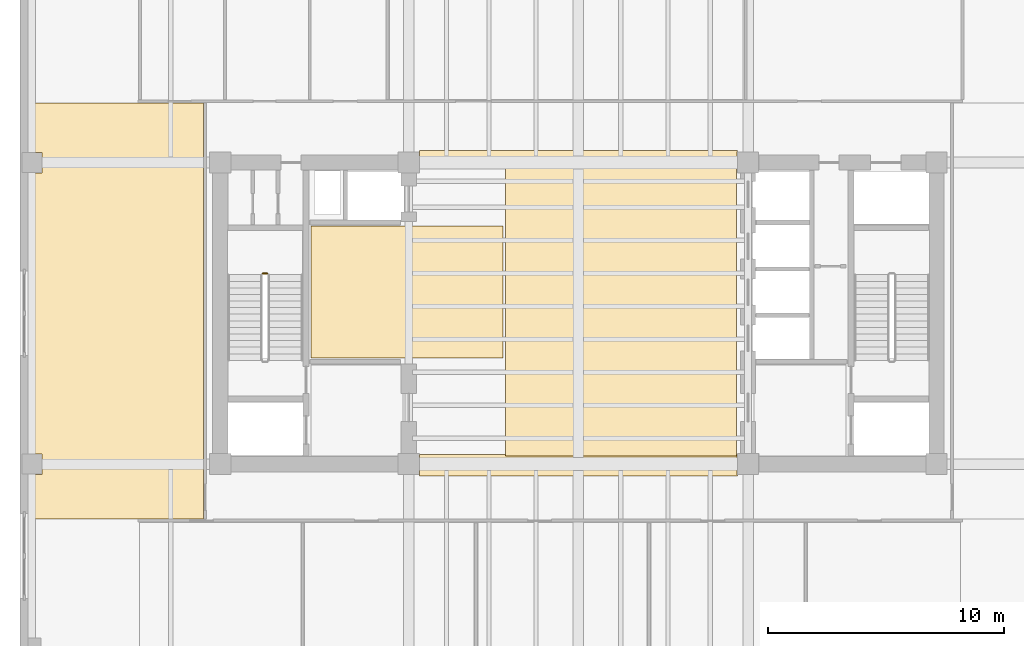
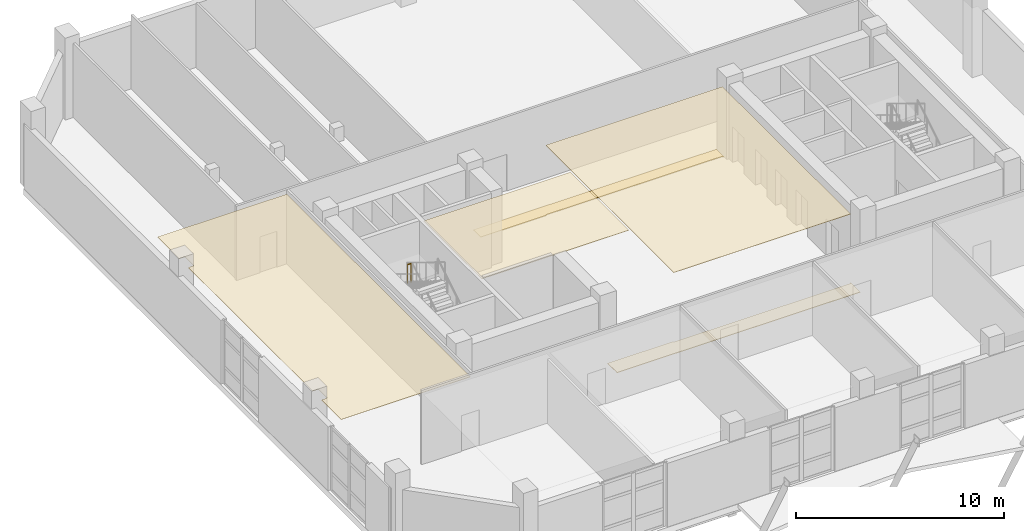
# One storey, part 12 of 15: 5 coverings, 1 railing.
"""IFC4 building model written with IfcOpenShell, lengths in metres."""

from ifc_helpers import new_model, si_unit, direction, frame, origin, origin_2d, place, context, subcontext, project, spatial, polyline, circle, outline, extrude, material, layer, layer_set, type_object, element, save


model = new_model("IFC4")

# Units and contexts
model_context = context("Model", 3, precision=1e-05, world=origin(), true_north=direction((0.0, 1.0)))
body_context = subcontext(model_context, "Body", "Model", "MODEL_VIEW")
ifc_project = project(units=[si_unit("LENGTHUNIT", "METRE"), si_unit("AREAUNIT", "SQUARE_METRE"), si_unit("VOLUMEUNIT", "CUBIC_METRE"), si_unit("PLANEANGLEUNIT", "RADIAN"), si_unit("MASSUNIT", "GRAM", prefix="KILO")], contexts=[model_context])

# Site, building, storey
site_placement = place(None, origin())
site = spatial("IfcSite", under=ifc_project, at=site_placement, CompositionType="ELEMENT")
building_placement = place(site_placement, origin())
building = spatial("IfcBuilding", under=site, at=building_placement, Name="Kranthara Brick Stack", CompositionType="ELEMENT")
storey_placement = place(building_placement, frame((0.0, 0.0, 202.699951171875)))
storey = spatial("IfcBuildingStorey", under=building, at=storey_placement, Name="L52", CompositionType="ELEMENT", Elevation=202.699951171875)

# Coverings
ifc_material_1 = material(Name="Perforated mineral-fibre acoustic ceiling tile", Category="other")
ifc_layer_1 = layer(ifc_material_1, 0.02490234375)
ifc_layer_set_1 = layer_set([ifc_layer_1], Name="Perforated mineral-fibre acoustic ceiling tile")
covering_type_1 = type_object("IfcCoveringType", Name="COV-CEIL-ACOUSTIC", PredefinedType="CEILING", material=ifc_layer_set_1)
covering_1_placement = place(storey_placement, frame((0.0, 0.0, 4.080078125)))
element("IfcCovering", 1, at=covering_1_placement, inside=storey, type_object=covering_type_1, Name="L52 Residential Sky Concierge Reading Salon Acoustic Ceiling", PredefinedType="CEILING", context=body_context, shape_type="SweptSolid", body=[
    extrude(outline(polyline([(24.800048828125, 25.300048828125), (24.800048828125, 30.89990234375), (16.64990234375, 30.89990234375), (16.64990234375, 25.300048828125), (24.800048828125, 25.300048828125)])), origin(), (0.0, 0.0, 1.0), 0.02490234375),
])
covering_2_placement = place(storey_placement, frame((0.0, 0.0, 4.080078125)))
element("IfcCovering", 2, at=covering_2_placement, inside=storey, type_object=covering_type_1, Name="L52 L52 High-Rise Residential Sky Lobby Acoustic Ceiling", PredefinedType="CEILING", context=body_context, shape_type="SweptSolid", body=[
    extrude(outline(polyline([(34.699951171875, 21.14990234375), (34.699951171875, 33.449951171875), (24.89990234375, 33.449951171875), (24.89990234375, 21.14990234375), (34.699951171875, 21.14990234375)])), origin(), (0.0, 0.0, 1.0), 0.02490234375),
])
covering_3_placement = place(storey_placement, frame((0.0, 0.0, 4.080078125)))
element("IfcCovering", 3, at=covering_3_placement, inside=storey, type_object=covering_type_1, Name="L52 L52 West Reception Concierge Acoustic Ceiling", PredefinedType="CEILING", context=body_context, shape_type="SweptSolid", body=[
    extrude(outline(polyline([(12.080078125, 36.1201171875), (12.080078125, 18.47998046875), (4.919921875, 18.47998046875), (4.919921875, 20.364990234375), (5.235107421875, 20.364990234375), (5.235107421875, 21.235107421875), (4.919921875, 21.235107421875), (4.919921875, 33.1650390625), (5.235107421875, 33.1650390625), (5.235107421875, 34.034912109375), (4.919921875, 34.034912109375), (4.919921875, 36.1201171875), (12.080078125, 36.1201171875)])), origin(), (0.0, 0.0, 1.0), 0.02490234375),
])
ifc_material_2 = material(Name="Honed terrazzo and porcelain floor finish", Category="stone")
ifc_layer_2 = layer(ifc_material_2, 0.030029296875)
ifc_layer_set_2 = layer_set([ifc_layer_2], Name="Honed terrazzo and porcelain floor finish")
covering_type_2 = type_object("IfcCoveringType", Name="COV-FLOR-STONE", PredefinedType="FLOORING", material=ifc_layer_set_2)
covering_4_placement = place(storey_placement, origin())
element("IfcCovering", 4, at=covering_4_placement, inside=storey, type_object=covering_type_2, Name="L52 Lift Lobby Stone Flooring", PredefinedType="FLOORING", context=body_context, shape_type="SweptSolid", body=[
    extrude(outline(polyline([(21.25, 20.300048828125), (21.25, 20.340087890625), (21.260009765625, 20.340087890625), (21.260009765625, 21.199951171875), (24.89990234375, 21.199951171875), (24.89990234375, 21.14990234375), (34.699951171875, 21.14990234375), (34.699951171875, 21.199951171875), (34.739990234375, 21.199951171875), (34.739990234375, 20.340087890625), (34.75, 20.340087890625), (34.75, 20.300048828125), (21.25, 20.300048828125)])), origin(), (0.0, 0.0, 1.0), 0.030029296875),
])
covering_5_placement = place(storey_placement, origin())
element("IfcCovering", 5, at=covering_5_placement, inside=storey, type_object=covering_type_2, Name="L52 Lift Lobby Stone Flooring", PredefinedType="FLOORING", context=body_context, shape_type="SweptSolid", body=[
    extrude(outline(polyline([(34.75, 34.06005859375), (34.739990234375, 34.06005859375), (34.739990234375, 33.39990234375), (34.699951171875, 33.39990234375), (34.699951171875, 33.449951171875), (24.89990234375, 33.449951171875), (24.89990234375, 33.39990234375), (21.260009765625, 33.39990234375), (21.260009765625, 34.06005859375), (21.25, 34.06005859375), (21.25, 34.10009765625), (34.75, 34.10009765625), (34.75, 34.06005859375)])), origin(), (0.0, 0.0, 1.0), 0.030029296875),
])

# Railing
ifc_material_3 = material(Name="Painted galvanized steel stair guardrail", Category="steel")
railing_type = type_object("IfcRailingType", Name="RL-STAIR-GUARD-1100", PredefinedType="GUARDRAIL", material=ifc_material_3)
railing_placement = place(storey_placement, frame((14.800048828125, 28.889892578125, 2.400146484375)))
element("IfcRailing", 6, at=railing_placement, inside=storey, type_object=railing_type, Name="L52 ST01 stair guard 2", PredefinedType="GUARDRAIL", context=body_context, shape_type="SweptSolid", body=[
    extrude(circle(Radius=0.02392578125, at=origin_2d()), frame((0.0, 0.0, 1.076171875), z_axis=(-1.0, 0.0, 0.0), x_axis=(0.0, -1.0, 0.0)), (0.0, 0.0, 1.0), 0.199951171875),
    extrude(circle(Radius=0.02099609375, at=origin_2d()), origin(), (0.0, 0.0, 1.0), 1.052001953125),
    extrude(circle(Radius=0.02099609375, at=origin_2d()), frame((-0.199951171875, 0.0, 0.0)), (0.0, 0.0, 1.0), 1.052001953125),
])

save(model, "model.ifc")
